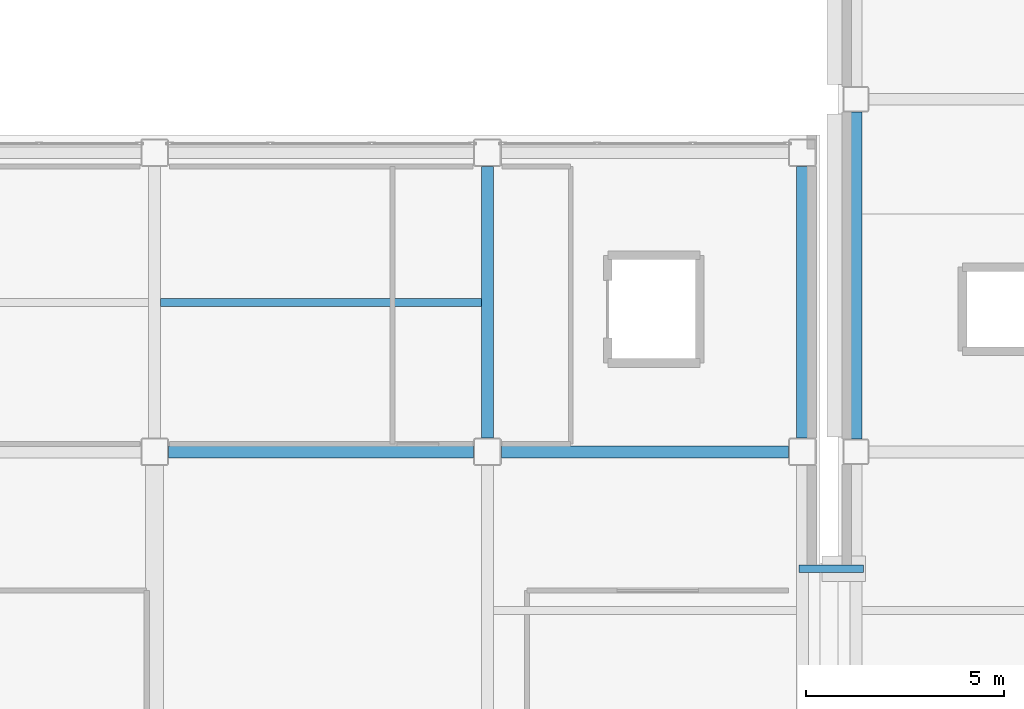
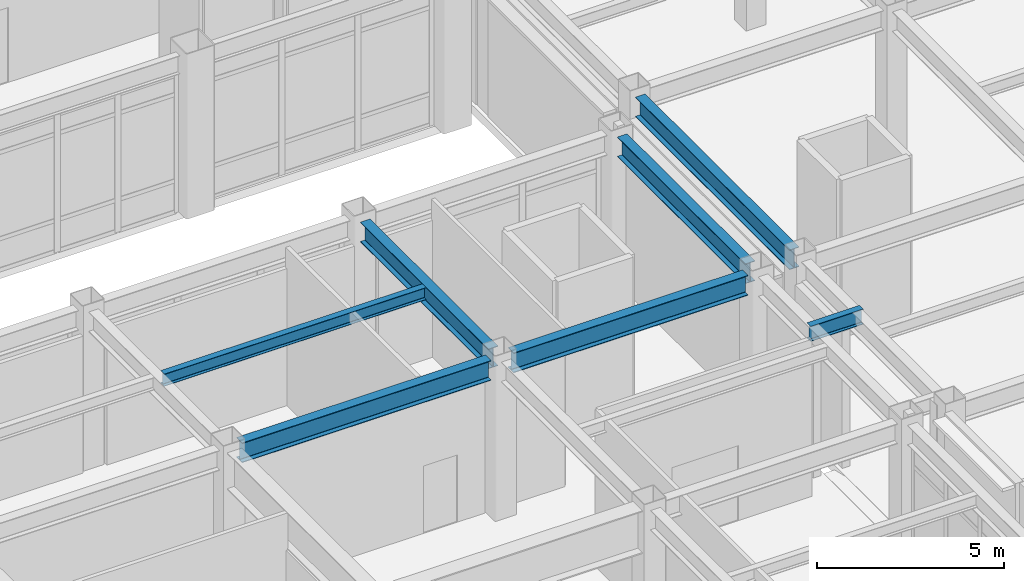
# One storey, part 28 of 165: 7 beams.
"""IFC4 building model written with IfcOpenShell, lengths in metres."""

from ifc_helpers import new_model, si_unit, direction, frame, origin, origin_2d, place, context, subcontext, project, spatial, i_section, extrude, material, material_profile, profile_set, type_object, element, save


model = new_model("IFC4")

# Units and contexts
model_context = context("Model", 3, precision=1e-05, world=origin(), true_north=direction((0.0, 1.0)))
body_context = subcontext(model_context, "Body", "Model", "MODEL_VIEW")
ifc_project = project(units=[si_unit("LENGTHUNIT", "METRE"), si_unit("AREAUNIT", "SQUARE_METRE"), si_unit("VOLUMEUNIT", "CUBIC_METRE"), si_unit("PLANEANGLEUNIT", "RADIAN"), si_unit("MASSUNIT", "GRAM", prefix="KILO")], contexts=[model_context])

# Site, building, storey
site_placement = place(None, origin())
site = spatial("IfcSite", under=ifc_project, at=site_placement, CompositionType="ELEMENT")
building_placement = place(site_placement, origin())
building = spatial("IfcBuilding", under=site, at=building_placement, Name="Kazehara Bluff Congress Hotel", CompositionType="ELEMENT")
storey_placement = place(building_placement, origin())
storey = spatial("IfcBuildingStorey", under=building, at=storey_placement, Name="L00", CompositionType="ELEMENT", Elevation=0.0)

# Beams
ifc_material_1 = material(Name="Steel SN490B", Category="steel")
ifc_material_profile_1 = material_profile(ifc_material_1, i_section(OverallWidth=0.199951171875, OverallDepth=0.5, WebThickness=0.010009765625, FlangeThickness=0.01611328125, FilletRadius=0.012939453125, at=origin_2d()))
ifc_profile_set_1 = profile_set([ifc_material_profile_1], Name="Steel SN490B")
beam_type_1 = type_object("IfcBeamType", Name="TP-G-01", PredefinedType="BEAM", material=ifc_profile_set_1)
beam_1_placement = place(storey_placement, frame((58.260009765625, 29.050048828125, 4.89990234375), z_axis=(1.0, 0.0, 0.0), x_axis=(0.0, 1.0, 0.0)))
element("IfcBeam", 1, at=beam_1_placement, inside=storey, type_object=beam_type_1, Name="Bridge link beam BRG-24 L01-2", PredefinedType="BEAM", context=body_context, shape_type="SweptSolid", body=[
    extrude(i_section(OverallWidth=0.199951171875, OverallDepth=0.5, WebThickness=0.010009765625, FlangeThickness=0.01611328125, FilletRadius=0.012939453125, at=origin_2d()), origin(), (0.0, 0.0, 1.0), 1.6298828125),
])
ifc_material_2 = material(Name="Steel SN490B", Category="steel")
ifc_material_profile_2 = material_profile(ifc_material_2, i_section(OverallWidth=0.300048828125, OverallDepth=0.64990234375, WebThickness=0.011962890625, FlangeThickness=0.02001953125, FilletRadius=0.012939453125, at=origin_2d()))
ifc_profile_set_2 = profile_set([ifc_material_profile_2], Name="Steel SN490B")
beam_type_2 = type_object("IfcBeamType", Name="TP-G-03", PredefinedType="BEAM", material=ifc_profile_set_2)
for number, where, z_axis, x_axis, name in (
    (2, (50.39990234375, 32.35009765625, 4.824951171875), (0.0, 1.0, 0.0), (-1.0, 0.0, 0.0), "L00 girder G-03 64"),
    (3, (58.35009765625, 32.35009765625, 4.824951171875), (0.0, 1.0, 0.0), (-1.0, 0.0, 0.0), "L00 girder G-03 69"),
):
    element("IfcBeam", number, at=place(storey_placement, frame(where, z_axis=z_axis, x_axis=x_axis)), inside=storey, type_object=beam_type_2, Name=name, PredefinedType="BEAM", context=body_context, shape_type="SweptSolid", body=[
        extrude(i_section(OverallWidth=0.300048828125, OverallDepth=0.64990234375, WebThickness=0.011962890625, FlangeThickness=0.02001953125, FilletRadius=0.012939453125, at=origin_2d()), origin(), (0.0, 0.0, 1.0), 6.849853515625),
    ])
beam_2_placement = place(storey_placement, frame((42.35009765625, 32.0, 4.824951171875), z_axis=(1.0, 0.0, 0.0), x_axis=(0.0, 1.0, 0.0)))
element("IfcBeam", 4, at=beam_2_placement, inside=storey, type_object=beam_type_2, Name="L00 girder G-03 93", PredefinedType="BEAM", context=body_context, shape_type="SweptSolid", body=[
    extrude(i_section(OverallWidth=0.300048828125, OverallDepth=0.64990234375, WebThickness=0.011962890625, FlangeThickness=0.02001953125, FilletRadius=0.012939453125, at=origin_2d()), origin(), (0.0, 0.0, 1.0), 7.699951171875),
])
beam_3_placement = place(storey_placement, frame((50.75, 32.0, 4.824951171875), z_axis=(1.0, 0.0, 0.0), x_axis=(0.0, 1.0, 0.0)))
element("IfcBeam", 5, at=beam_3_placement, inside=storey, type_object=beam_type_2, Name="L00 girder G-03 94", PredefinedType="BEAM", context=body_context, shape_type="SweptSolid", body=[
    extrude(i_section(OverallWidth=0.300048828125, OverallDepth=0.64990234375, WebThickness=0.011962890625, FlangeThickness=0.02001953125, FilletRadius=0.012939453125, at=origin_2d()), origin(), (0.0, 0.0, 1.0), 7.25),
])
beam_4_placement = place(storey_placement, frame((59.699951171875, 32.324951171875, 4.824951171875), z_axis=(0.0, 1.0, 0.0), x_axis=(-1.0, 0.0, 0.0)))
element("IfcBeam", 6, at=beam_4_placement, inside=storey, type_object=beam_type_2, Name="L00 girder G-03 150", PredefinedType="BEAM", context=body_context, shape_type="SweptSolid", body=[
    extrude(i_section(OverallWidth=0.300048828125, OverallDepth=0.64990234375, WebThickness=0.011962890625, FlangeThickness=0.02001953125, FilletRadius=0.012939453125, at=origin_2d()), origin(), (0.0, 0.0, 1.0), 8.25),
])
ifc_material_3 = material(Name="Steel SN400B", Category="steel")
ifc_material_profile_3 = material_profile(ifc_material_3, i_section(OverallWidth=0.199951171875, OverallDepth=0.39990234375, WebThickness=0.008056640625, FlangeThickness=0.012939453125, FilletRadius=0.012939453125, at=origin_2d()))
ifc_profile_set_3 = profile_set([ifc_material_profile_3], Name="Steel SN400B")
beam_type_3 = type_object("IfcBeamType", Name="TP-J-03", PredefinedType="JOIST", material=ifc_profile_set_3)
beam_5_placement = place(storey_placement, frame((42.14990234375, 35.77490234375, 4.949951171875), z_axis=(1.0, 0.0, 0.0), x_axis=(0.0, 1.0, 0.0)))
element("IfcBeam", 7, at=beam_5_placement, inside=storey, type_object=beam_type_3, Name="L00 secondary joist J-03 8", PredefinedType="JOIST", context=body_context, shape_type="SweptSolid", body=[
    extrude(i_section(OverallWidth=0.199951171875, OverallDepth=0.39990234375, WebThickness=0.008056640625, FlangeThickness=0.012939453125, FilletRadius=0.012939453125, at=origin_2d()), origin(), (0.0, 0.0, 1.0), 8.10009765625),
])

save(model, "model.ifc")
